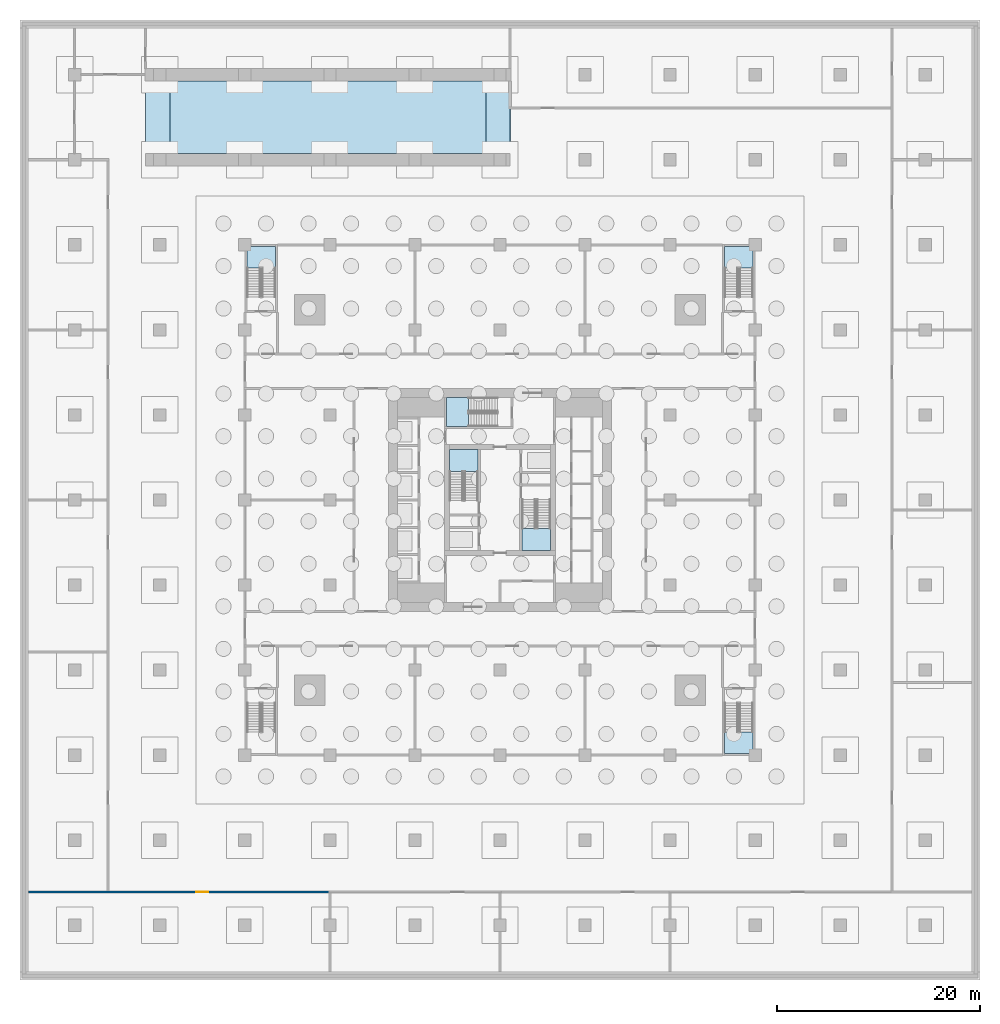
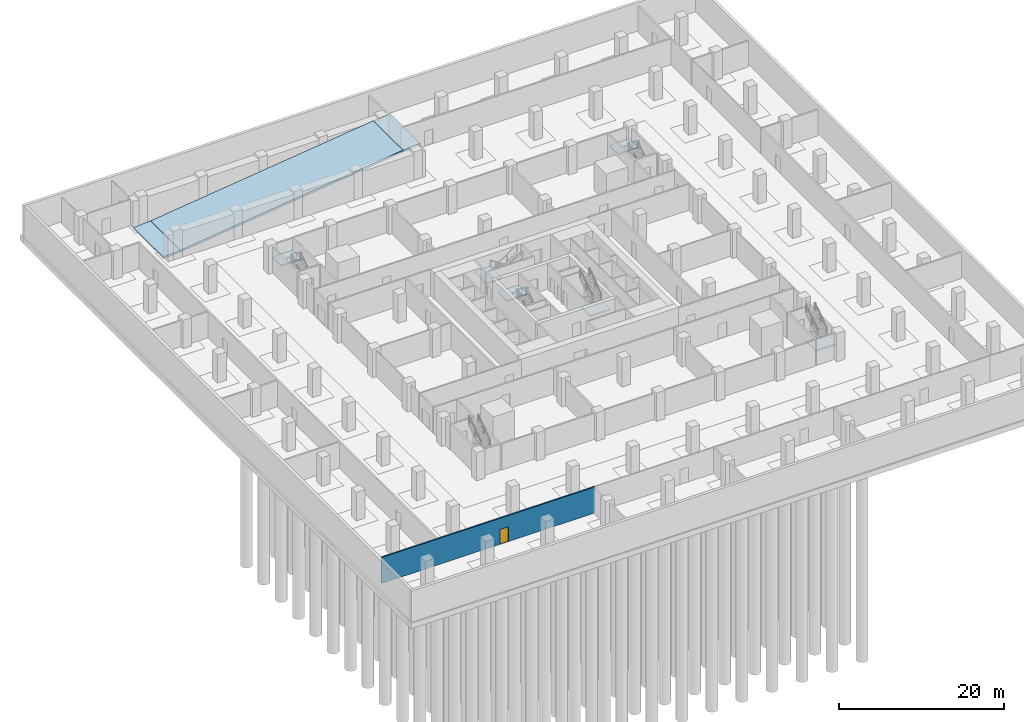
# One storey, part 3 of 19: 9 slabs, 1 door, 1 wall, 1 opening, 6 elements without a shape of their own.
"""IFC4 building model written with IfcOpenShell, lengths in metres."""

from ifc_helpers import new_model, si_unit, direction, frame, frame_2d, origin, place, context, subcontext, project, spatial, polyline, rectangle, outline, extrude, material, layer, layer_set, type_object, element, fill, aggregate, save


model = new_model("IFC4")

# Units and contexts
model_context = context("Model", 3, precision=1e-05, world=origin(), true_north=direction((0.0, 1.0)))
body_context = subcontext(model_context, "Body", "Model", "MODEL_VIEW")
ifc_project = project(units=[si_unit("LENGTHUNIT", "METRE"), si_unit("AREAUNIT", "SQUARE_METRE"), si_unit("VOLUMEUNIT", "CUBIC_METRE"), si_unit("PLANEANGLEUNIT", "RADIAN"), si_unit("MASSUNIT", "GRAM", prefix="KILO")], contexts=[model_context])

# Site, building, storey
site_placement = place(None, origin())
site = spatial("IfcSite", under=ifc_project, at=site_placement, CompositionType="ELEMENT")
building_placement = place(site_placement, origin())
building = spatial("IfcBuilding", under=site, at=building_placement, Name="Khepri Terraces", CompositionType="ELEMENT")
storey_placement = place(building_placement, frame((0.0, 0.0, -8.39990234375)))
storey = spatial("IfcBuildingStorey", under=building, at=storey_placement, Name="B2", CompositionType="ELEMENT", Elevation=-8.39990234375)

# Stair, slab
ifc_material_1 = material(Name="Concrete C40/50", Category="concrete")
stair_type_1 = type_object("IfcStairType", Name="ST-POD", PredefinedType="HALF_TURN_STAIR", material=ifc_material_1)
stair_1_placement = place(storey_placement, origin())
stair_1 = element("IfcStair", 1, at=stair_1_placement, inside=storey, type_object=stair_type_1, Name="B2 Exit Stair PS-1", PredefinedType="HALF_TURN_STAIR")
ifc_layer_1 = layer(ifc_material_1, 0.199951171875, Name="Concrete C40/50", Category="concrete")
ifc_layer_set_1 = layer_set([ifc_layer_1], Name="Concrete C40/50")
slab_type_1 = type_object("IfcSlabType", Name="SL-POD", PredefinedType="LANDING", material=ifc_layer_set_1)
slab_1_placement = place(storey_placement, frame((0.0, 0.0, 1.89990234375)))
slab_1 = element("IfcSlab", 2, at=slab_1_placement, type_object=slab_type_1, Name="PS-1 landing 1", PredefinedType="LANDING", context=body_context, shape_type="SweptSolid", body=[
    extrude(outline(polyline([(25.0, 22.909912109375), (25.0, 25.0400390625), (22.14990234375, 25.0400390625), (22.14990234375, 22.909912109375), (25.0, 22.909912109375)])), origin(), (0.0, 0.0, 1.0), 0.199951171875),
])
aggregate(stair_1, [slab_1])

stair_2_placement = place(storey_placement, origin())
stair_2 = element("IfcStair", 3, at=stair_2_placement, inside=storey, type_object=stair_type_1, Name="B2 Exit Stair PS-2", PredefinedType="HALF_TURN_STAIR")
slab_2_placement = place(storey_placement, frame((0.0, 0.0, 1.89990234375)))
slab_2 = element("IfcSlab", 4, at=slab_2_placement, type_object=slab_type_1, Name="PS-2 landing 1", PredefinedType="LANDING", context=body_context, shape_type="SweptSolid", body=[
    extrude(outline(polyline([(-22.14990234375, 22.909912109375), (-22.14990234375, 25.0400390625), (-25.0, 25.0400390625), (-25.0, 22.909912109375), (-22.14990234375, 22.909912109375)])), origin(), (0.0, 0.0, 1.0), 0.199951171875),
])
aggregate(stair_2, [slab_2])

stair_3_placement = place(storey_placement, origin())
stair_3 = element("IfcStair", 5, at=stair_3_placement, inside=storey, type_object=stair_type_1, Name="B2 Exit Stair PS-3", PredefinedType="HALF_TURN_STAIR")
slab_3_placement = place(storey_placement, frame((0.0, 0.0, 1.89990234375)))
slab_3 = element("IfcSlab", 6, at=slab_3_placement, type_object=slab_type_1, Name="PS-3 landing 1", PredefinedType="LANDING", context=body_context, shape_type="SweptSolid", body=[
    extrude(outline(polyline([(22.14990234375, -22.909912109375), (22.14990234375, -25.0400390625), (25.0, -25.0400390625), (25.0, -22.909912109375), (22.14990234375, -22.909912109375)])), origin(), (0.0, 0.0, 1.0), 0.199951171875),
])
aggregate(stair_3, [slab_3])

# Slabs
ifc_layer_2 = layer(ifc_material_1, 0.300048828125, Name="Concrete C40/50", Category="concrete")
ifc_layer_set_2 = layer_set([ifc_layer_2], Name="Concrete C40/50")
slab_type_2 = type_object("IfcSlabType", Name="SL-POD-RAMP", PredefinedType="USERDEFINED", material=ifc_layer_set_2)
slab_4_placement = place(storey_placement, frame((1.0, 34.199951171875, 4.199951171875), z_axis=(-0.062441495921, 0.0, 0.998048625863), x_axis=(-0.998048625863, 0.0, -0.062441495921)))
element("IfcSlab", 7, at=slab_4_placement, inside=storey, type_object=slab_type_2, Name="Car park ramp R1 W-T1", ObjectType="VEHICLE RAMP SLAB", PredefinedType="USERDEFINED", context=body_context, shape_type="SweptSolid", body=[
    extrude(outline(polyline([(0.0, 0.0), (2.404594607476885, 0.0), (2.404594607476885, -7.199951171875), (0.0, -7.199951171875), (0.0, 0.0)])), origin(), (0.0, 0.0, -1.0), 0.300048828125),
])
slab_5_placement = place(storey_placement, frame((-1.39990234375, 34.199951171875, 4.0498046875), z_axis=(-0.124030912041, 0.0, 0.992278354525), x_axis=(-0.992278354525, 0.0, -0.124030912041)))
element("IfcSlab", 8, at=slab_5_placement, inside=storey, type_object=slab_type_2, Name="Car park ramp R1 W-RUN", ObjectType="VEHICLE RAMP SLAB", PredefinedType="USERDEFINED", context=body_context, shape_type="SweptSolid", body=[
    extrude(outline(polyline([(0.0, 0.0), (31.442986910103404, 0.0), (31.442986910103404, -7.199951171875), (0.0, -7.199951171875), (0.0, 0.0)])), origin(), (0.0, 0.0, -1.0), 0.300048828125),
])
slab_6_placement = place(storey_placement, frame((-32.60009765625, 34.199951171875, 0.14990234375), z_axis=(-0.062340359935, 0.0, 0.998054948148), x_axis=(-0.998054948148, 0.0, -0.062340359935)))
element("IfcSlab", 9, at=slab_6_placement, inside=storey, type_object=slab_type_2, Name="Car park ramp R1 W-T2", ObjectType="VEHICLE RAMP SLAB", PredefinedType="USERDEFINED", context=body_context, shape_type="SweptSolid", body=[
    extrude(outline(polyline([(0.0, 0.0), (2.404579375316707, 0.0), (2.404579375316707, -7.199951171875), (0.0, -7.199951171875), (0.0, 0.0)])), origin(), (0.0, 0.0, -1.0), 0.300048828125),
])

# Stair, slab
stair_type_2 = type_object("IfcStairType", Name="STAIR-RC-24R", PredefinedType="HALF_TURN_STAIR", material=ifc_material_1)
stair_4_placement = place(storey_placement, origin())
stair_4 = element("IfcStair", 10, at=stair_4_placement, inside=storey, type_object=stair_type_2, Name="B2 Exit Stair ST-1", PredefinedType="HALF_TURN_STAIR")
ifc_layer_3 = layer(ifc_material_1, 0.199951171875, Name="Concrete C40/50", Category="concrete")
ifc_layer_set_3 = layer_set([ifc_layer_3], Name="Concrete C40/50")
slab_type_3 = type_object("IfcSlabType", Name="SLB-CORE-LANDING", PredefinedType="LANDING", material=ifc_layer_set_3)
slab_7_placement = place(storey_placement, frame((0.0, 0.0, 1.89990234375)))
slab_7 = element("IfcSlab", 11, at=slab_7_placement, type_object=slab_type_3, Name="ST-1 landing 1", PredefinedType="LANDING", context=body_context, shape_type="SweptSolid", body=[
    extrude(outline(polyline([(-2.14990234375, 2.81005859375), (-2.14990234375, 5.0), (-5.0, 5.0), (-5.0, 2.81005859375), (-2.14990234375, 2.81005859375)])), origin(), (0.0, 0.0, 1.0), 0.199951171875),
])
aggregate(stair_4, [slab_7])

stair_5_placement = place(storey_placement, origin())
stair_5 = element("IfcStair", 12, at=stair_5_placement, inside=storey, type_object=stair_type_2, Name="B2 Exit Stair ST-2", PredefinedType="HALF_TURN_STAIR")
slab_8_placement = place(storey_placement, frame((0.0, 0.0, 1.89990234375)))
slab_8 = element("IfcSlab", 13, at=slab_8_placement, type_object=slab_type_3, Name="ST-2 landing 1", PredefinedType="LANDING", context=body_context, shape_type="SweptSolid", body=[
    extrude(outline(polyline([(2.14990234375, -2.81005859375), (2.14990234375, -5.0), (5.0, -5.0), (5.0, -2.81005859375), (2.14990234375, -2.81005859375)])), origin(), (0.0, 0.0, 1.0), 0.199951171875),
])
aggregate(stair_5, [slab_8])

stair_6_placement = place(storey_placement, origin())
stair_6 = element("IfcStair", 14, at=stair_6_placement, inside=storey, type_object=stair_type_2, Name="B2 Exit Stair ST-3", PredefinedType="HALF_TURN_STAIR")
slab_9_placement = place(storey_placement, frame((0.0, 0.0, 1.89990234375)))
slab_9 = element("IfcSlab", 15, at=slab_9_placement, type_object=slab_type_3, Name="ST-3 landing 1", PredefinedType="LANDING", context=body_context, shape_type="SweptSolid", body=[
    extrude(outline(polyline([(-3.110107421875, 10.10009765625), (-5.300048828125, 10.10009765625), (-5.300048828125, 7.25), (-3.110107421875, 7.25), (-3.110107421875, 10.10009765625)])), origin(), (0.0, 0.0, 1.0), 0.199951171875),
])
aggregate(stair_6, [slab_9])

# Wall, opening, door
ifc_material_2 = material(Name="Fire-rated block wall")
ifc_layer_4 = layer(ifc_material_2, 0.199951171875, Name="Fire-rated block wall")
ifc_layer_set_4 = layer_set([ifc_layer_4], Name="Fire-rated block wall")
wall_type = type_object("IfcWallType", Name="WL-POD-200-EI120", PredefinedType="PARTITIONING", material=ifc_layer_set_4)
wall_placement = place(storey_placement, frame((-46.550048828125, -38.699951171875, 0.0), z_axis=(0.0, 0.0, 1.0), x_axis=(1.0, 0.0, 0.0)))
wall = element("IfcWall", 16, at=wall_placement, inside=storey, type_object=wall_type, Name="Partition B2-PW001", PredefinedType="PARTITIONING", context=body_context, shape_type="SweptSolid", body=[
    extrude(rectangle(XDim=29.85009765625, YDim=0.199951171875, at=frame_2d((14.925048828125, 0.0))), origin(), (0.0, 0.0, 1.0), 3.849853515625),
])
opening_placement = place(wall_placement, frame((16.550048828125, 0.0, 0.0)))
opening = element("IfcOpeningElement", 17, at=opening_placement, cuts=wall, Name="Opening B2-P01", PredefinedType="OPENING", context=body_context, shape_type="SweptSolid", body=[
    extrude(rectangle(XDim=1.199951171875, YDim=2.199951171875, at=frame_2d((0.60009765625, 1.10009765625))), frame((0.0, 0.10986328125, 0.0), z_axis=(0.0, -1.0, 0.0), x_axis=(1.0, 0.0, 0.0)), (0.0, 0.0, 1.0), 0.219970703125),
])
ifc_material_3 = material(Name="Painted steel", Category="steel")
door_type = type_object("IfcDoorType", Name="DR-POD-PLANT-1200", OperationType="NOTDEFINED", PredefinedType="DOOR", material=ifc_material_3)
door_placement = place(opening_placement, origin())
door = element("IfcDoor", 18, at=door_placement, inside=storey, type_object=door_type, Name="Plant room door B2-P01", OperationType="SINGLE_SWING_LEFT", OverallHeight=2.199951171875, OverallWidth=1.199951171875, PredefinedType="DOOR", context=body_context, shape_type="SweptSolid", body=[
    extrude(rectangle(XDim=1.199951171875, YDim=2.199951171875, at=frame_2d((0.60009765625, 1.10009765625))), frame((0.0, 0.02490234375, 0.0), z_axis=(0.0, -1.0, 0.0), x_axis=(1.0, 0.0, 0.0)), (0.0, 0.0, 1.0), 0.050048828125),
])
fill(opening, door)

save(model, "model.ifc")
